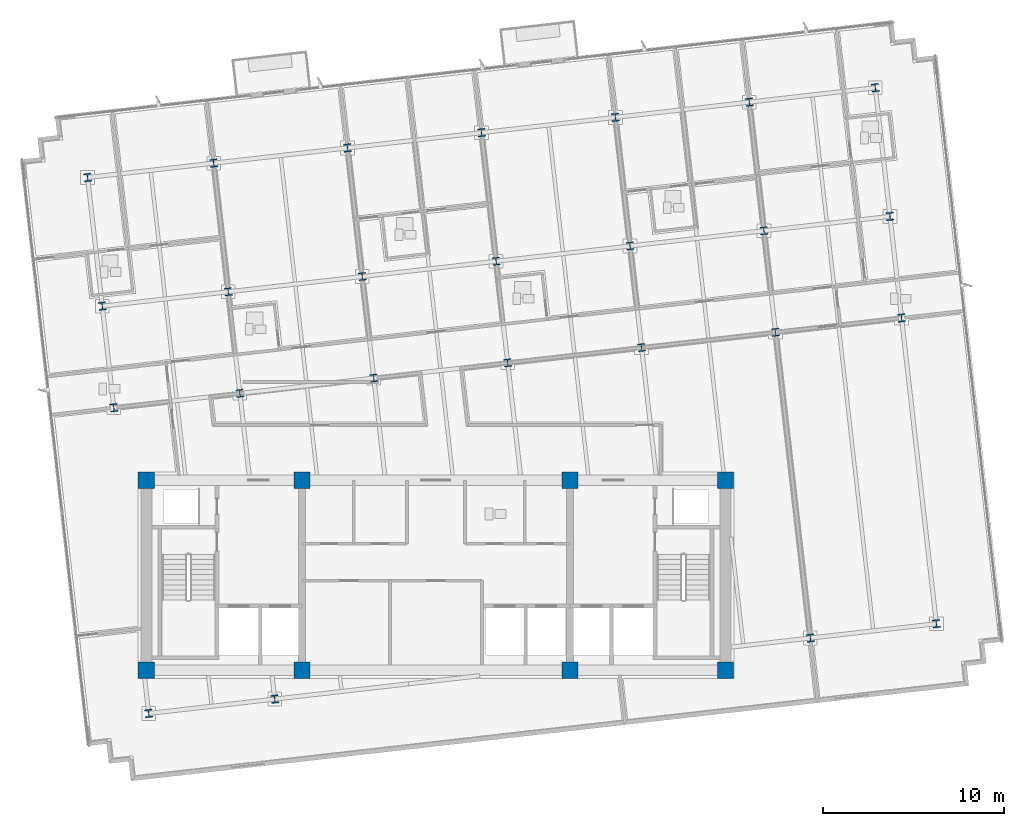
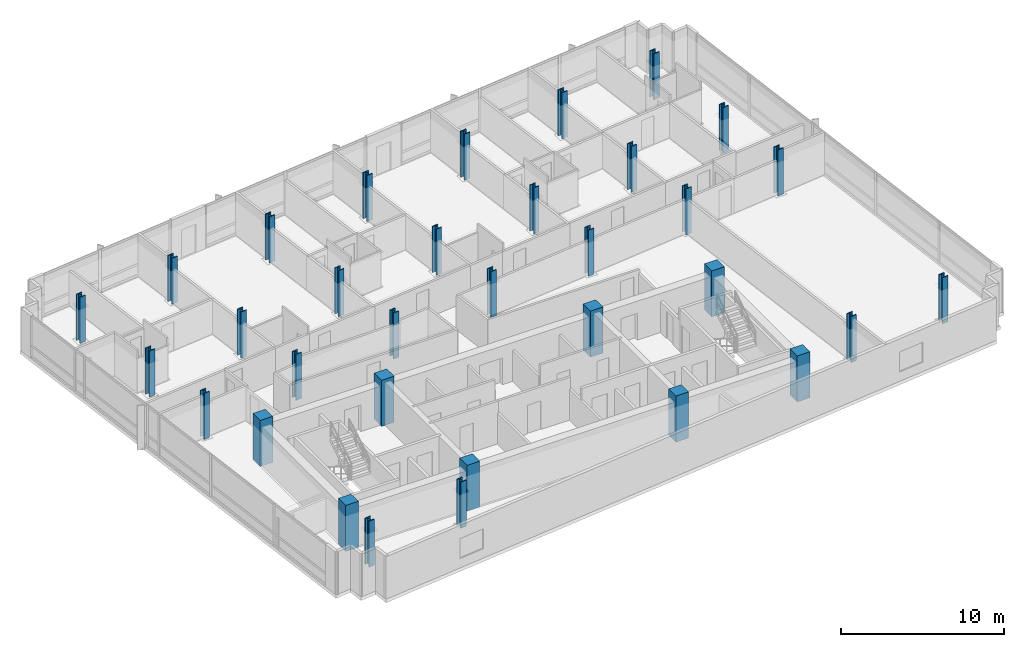
# One storey, part 1 of 17: 33 columns.
"""IFC4 building model written with IfcOpenShell, lengths in metres."""

from ifc_helpers import new_model, si_unit, direction, frame, origin, origin_2d, place, context, subcontext, project, spatial, rectangle, i_section, extrude, material, material_profile, profile_set, type_object, element, save


model = new_model("IFC4")

# Units and contexts
model_context = context("Model", 3, precision=1e-05, world=origin(), true_north=direction((0.0, 1.0)))
body_context = subcontext(model_context, "Body", "Model", "MODEL_VIEW")
ifc_project = project(units=[si_unit("LENGTHUNIT", "METRE"), si_unit("AREAUNIT", "SQUARE_METRE"), si_unit("VOLUMEUNIT", "CUBIC_METRE"), si_unit("PLANEANGLEUNIT", "RADIAN"), si_unit("MASSUNIT", "GRAM", prefix="KILO")], contexts=[model_context])

# Site, building, storey
site_placement = place(None, origin())
site = spatial("IfcSite", under=ifc_project, at=site_placement, CompositionType="ELEMENT")
building_placement = place(site_placement, origin())
building = spatial("IfcBuilding", under=site, at=building_placement, Name="Solmavex Isthmus Hotel", CompositionType="ELEMENT")
storey_placement = place(building_placement, frame((0.0, 0.0, 195.14990234375)))
storey = spatial("IfcBuildingStorey", under=building, at=storey_placement, Name="L52", CompositionType="ELEMENT", Elevation=195.14990234375)

# Columns
ifc_material_1 = material(Name="Concrete C50/60", Category="concrete")
ifc_material_profile_1 = material_profile(ifc_material_1, rectangle(XDim=0.89990234375, YDim=0.89990234375, at=origin_2d()), Name="RC900X900")
ifc_profile_set_1 = profile_set([ifc_material_profile_1], Name="Concrete C50/60")
column_type_1 = type_object("IfcColumnType", Name="COL-CC-900", PredefinedType="COLUMN", material=ifc_profile_set_1)
for number, where, z_axis, x_axis, name in (
    (1, (-16.0, -13.0, 0.0), (0.0, 0.0, 1.0), (1.0, 0.0, 0.0), "Core Pilaster CC-SW L52"),
    (2, (-7.39990234375, -13.0, 0.0), (0.0, 0.0, 1.0), (1.0, 0.0, 0.0), "Core Pilaster CC-S1 L52"),
    (3, (7.39990234375, -13.0, 0.0), (0.0, 0.0, 1.0), (1.0, 0.0, 0.0), "Core Pilaster CC-S2 L52"),
    (4, (16.0, -13.0, 0.0), (0.0, 0.0, 1.0), (1.0, 0.0, 0.0), "Core Pilaster CC-SE L52"),
    (5, (-16.0, -2.5, 0.0), (0.0, 0.0, 1.0), (1.0, 0.0, 0.0), "Core Pilaster CC-NW L52"),
    (6, (-7.39990234375, -2.5, 0.0), (0.0, 0.0, 1.0), (1.0, 0.0, 0.0), "Core Pilaster CC-N1 L52"),
    (7, (7.39990234375, -2.5, 0.0), (0.0, 0.0, 1.0), (1.0, 0.0, 0.0), "Core Pilaster CC-N2 L52"),
    (8, (16.0, -2.5, 0.0), (0.0, 0.0, 1.0), (1.0, 0.0, 0.0), "Core Pilaster CC-NE L52"),
):
    element("IfcColumn", number, at=place(storey_placement, frame(where, z_axis=z_axis, x_axis=x_axis)), inside=storey, type_object=column_type_1, Name=name, PredefinedType="COLUMN", context=body_context, shape_type="SweptSolid", body=[
        extrude(rectangle(XDim=0.89990234375, YDim=0.89990234375, at=origin_2d()), origin(), (0.0, 0.0, 1.0), 3.4501953125),
    ])
ifc_material_2 = material(Name="Steel ASTM A913 Grade 65", Category="steel")
ifc_material_profile_2 = material_profile(ifc_material_2, i_section(OverallWidth=0.412109375, OverallDepth=0.434814453125, WebThickness=0.035888671875, FlangeThickness=0.057373046875, FilletRadius=0.030517578125, at=origin_2d()), Name="W14X311")
ifc_profile_set_2 = profile_set([ifc_material_profile_2], Name="Steel ASTM A913 Grade 65")
column_type_2 = type_object("IfcColumnType", Name="COL-SC-W14X311", PredefinedType="COLUMN", material=ifc_profile_set_2)
for number, where, z_axis, x_axis, name in (
    (9, (-10.833984375, 2.30078125, 0.0), (0.0, 0.0, 1.0), (0.993571855677, 0.113203213768, 0.0), "Tower Column B4-U2V2 L52"),
    (10, (-11.473388671875, 7.912353515625, 0.0), (0.0, 0.0, 1.0), (0.993571855677, 0.113203213768, 0.0), "Tower Column B4-U2V3 L52"),
    (11, (-3.435791015625, 3.1435546875, 0.0), (0.0, 0.0, 1.0), (0.993571855677, 0.113203213768, 0.0), "Tower Column B4-U3V2 L52"),
    (12, (-4.0751953125, 8.75537109375, 0.0), (0.0, 0.0, 1.0), (0.993571855677, 0.113203213768, 0.0), "Tower Column B4-U3V3 L52"),
    (13, (3.962158203125, 3.986572265625, 0.0), (0.0, 0.0, 1.0), (0.993571855677, 0.113203213768, 0.0), "Tower Column B4-U4V2 L52"),
    (14, (3.322998046875, 9.59814453125, 0.0), (0.0, 0.0, 1.0), (0.993571855677, 0.113203213768, 0.0), "Tower Column B4-U4V3 L52"),
    (15, (11.3603515625, 4.829345703125, 0.0), (0.0, 0.0, 1.0), (0.993571855677, 0.113203213768, 0.0), "Tower Column B4-U5V2 L52"),
    (16, (10.720947265625, 10.441162109375, 0.0), (0.0, 0.0, 1.0), (0.993571855677, 0.113203213768, 0.0), "Tower Column B4-U5V3 L52"),
    (17, (18.758544921875, 5.67236328125, 0.0), (0.0, 0.0, 1.0), (0.993571855677, 0.113203213768, 0.0), "Tower Column B4-U6V2 L52"),
    (18, (18.119140625, 11.283935546875, 0.0), (0.0, 0.0, 1.0), (0.993571855677, 0.113203213768, 0.0), "Tower Column B4-U6V3 L52"),
):
    element("IfcColumn", number, at=place(storey_placement, frame(where, z_axis=z_axis, x_axis=x_axis)), inside=storey, type_object=column_type_2, Name=name, PredefinedType="COLUMN", context=body_context, shape_type="SweptSolid", body=[
        extrude(i_section(OverallWidth=0.412109375, OverallDepth=0.434814453125, WebThickness=0.035888671875, FlangeThickness=0.057373046875, FilletRadius=0.030517578125, at=origin_2d()), origin(), (0.0, 0.0, 1.0), 3.4501953125),
    ])
ifc_material_profile_3 = material_profile(ifc_material_2, i_section(OverallWidth=0.41845703125, OverallDepth=0.455078125, WebThickness=0.0419921875, FlangeThickness=0.067626953125, FilletRadius=0.030517578125, at=origin_2d()), Name="W14X370")
ifc_profile_set_3 = profile_set([ifc_material_profile_3], Name="Steel ASTM A913 Grade 65")
column_type_3 = type_object("IfcColumnType", Name="COL-SC-W14X370", PredefinedType="COLUMN", material=ifc_profile_set_3)
for number, where, z_axis, x_axis, name in (
    (19, (-15.87255859375, -15.38330078125, 0.0), (0.0, 0.0, 1.0), (0.993571855677, 0.113203213768, 0.0), "Tower Column B4-U1V1 L52"),
    (20, (-17.796875, 1.50732421875, 0.0), (0.0, 0.0, 1.0), (0.993571855677, 0.113203213768, 0.0), "Tower Column B4-U1V2 L52"),
    (21, (-18.436279296875, 7.119140625, 0.0), (0.0, 0.0, 1.0), (0.993571855677, 0.113203213768, 0.0), "Tower Column B4-U1V3 L52"),
    (22, (-19.245849609375, 14.22509765625, 0.0), (0.0, 0.0, 1.0), (0.993571855677, 0.113203213768, 0.0), "Tower Column B4-U1V4 L52"),
    (23, (-8.909423828125, -14.590087890625, 0.0), (0.0, 0.0, 1.0), (0.993571855677, 0.113203213768, 0.0), "Tower Column B4-U2V1 L52"),
    (24, (-12.282958984375, 15.018310546875, 0.0), (0.0, 0.0, 1.0), (0.993571855677, 0.113203213768, 0.0), "Tower Column B4-U2V4 L52"),
    (25, (-4.884765625, 15.861328125, 0.0), (0.0, 0.0, 1.0), (0.993571855677, 0.113203213768, 0.0), "Tower Column B4-U3V4 L52"),
    (26, (2.51318359375, 16.7041015625, 0.0), (0.0, 0.0, 1.0), (0.993571855677, 0.113203213768, 0.0), "Tower Column B4-U4V4 L52"),
    (27, (9.911376953125, 17.547119140625, 0.0), (0.0, 0.0, 1.0), (0.993571855677, 0.113203213768, 0.0), "Tower Column B4-U5V4 L52"),
    (28, (20.68310546875, -11.218505859375, 0.0), (0.0, 0.0, 1.0), (0.993571855677, 0.113203213768, 0.0), "Tower Column B4-U6V1 L52"),
    (29, (17.3095703125, 18.39013671875, 0.0), (0.0, 0.0, 1.0), (0.993571855677, 0.113203213768, 0.0), "Tower Column B4-U6V4 L52"),
    (30, (27.64599609375, -10.425048828125, 0.0), (0.0, 0.0, 1.0), (0.993571855677, 0.113203213768, 0.0), "Tower Column B4-U7V1 L52"),
    (31, (25.721435546875, 6.465576171875, 0.0), (0.0, 0.0, 1.0), (0.993571855677, 0.113203213768, 0.0), "Tower Column B4-U7V2 L52"),
    (32, (25.08203125, 12.077392578125, 0.0), (0.0, 0.0, 1.0), (0.993571855677, 0.113203213768, 0.0), "Tower Column B4-U7V3 L52"),
    (33, (24.2724609375, 19.183349609375, 0.0), (0.0, 0.0, 1.0), (0.993571855677, 0.113203213768, 0.0), "Tower Column B4-U7V4 L52"),
):
    element("IfcColumn", number, at=place(storey_placement, frame(where, z_axis=z_axis, x_axis=x_axis)), inside=storey, type_object=column_type_3, Name=name, PredefinedType="COLUMN", context=body_context, shape_type="SweptSolid", body=[
        extrude(i_section(OverallWidth=0.41845703125, OverallDepth=0.455078125, WebThickness=0.0419921875, FlangeThickness=0.067626953125, FilletRadius=0.030517578125, at=origin_2d()), origin(), (0.0, 0.0, 1.0), 3.4501953125),
    ])

save(model, "model.ifc")
